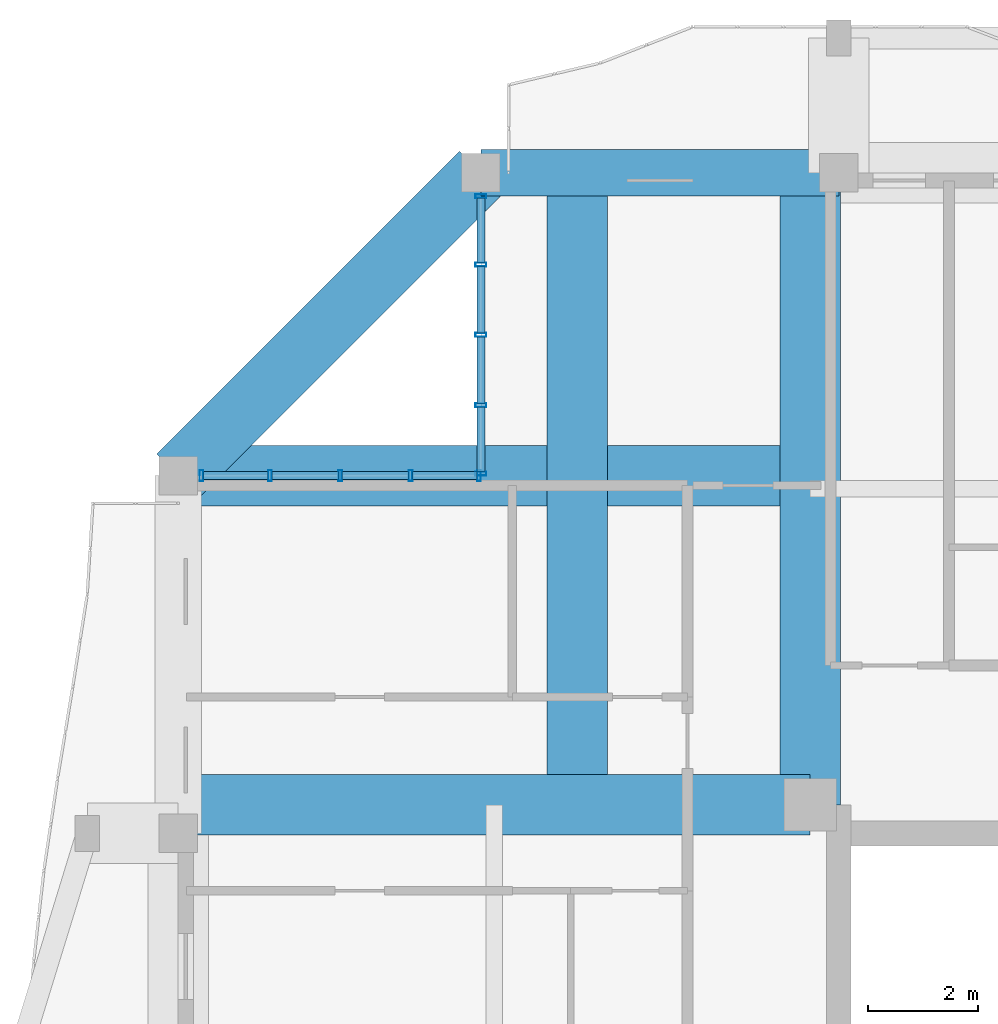
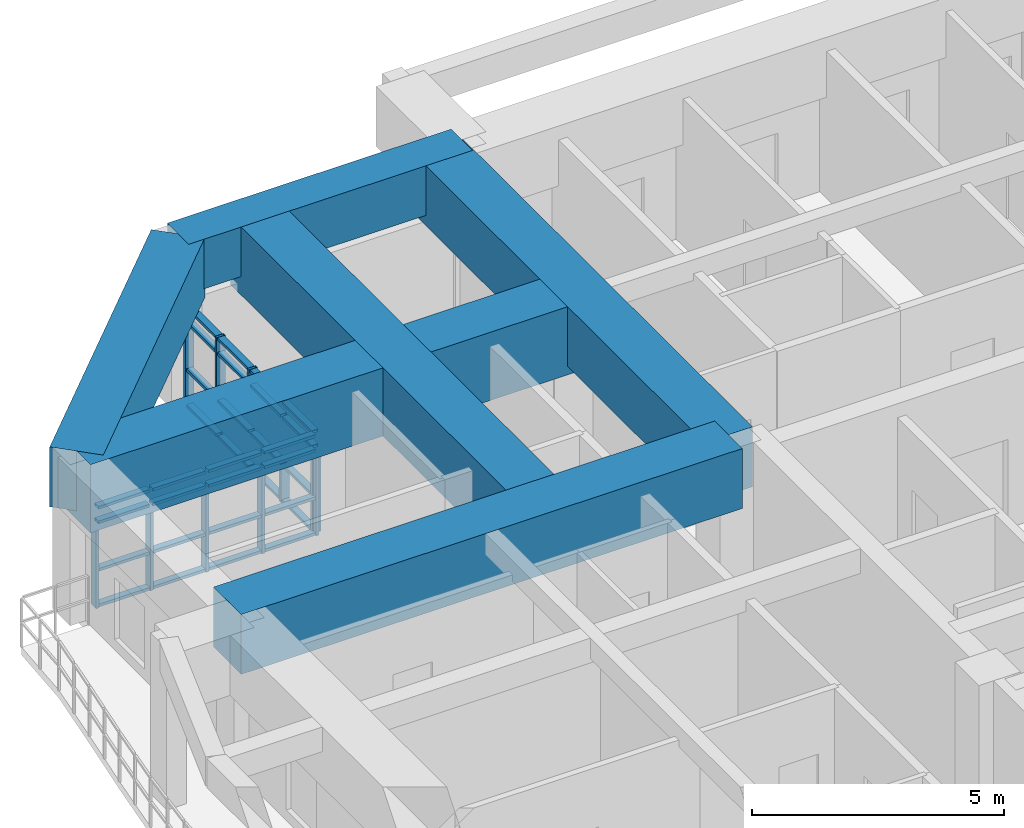
# One storey, part 6 of 22: 42 members, 6 beams, 2 elements without a shape of their own.
"""IFC4 building model written with IfcOpenShell, lengths in metres."""

import ifcopenshell
import ifcopenshell.guid

model = None  # the IFC model being written
_history = None  # IfcOwnerHistory: only IFC2X3 demands one
_inside = {}  # id of a spatial element -> (the spatial element, [elements in it])
_under = {}  # id of a project, library or spatial element -> (it, [spatial elements below it])
_declared = {}  # id of a project -> (the project, [libraries it declares])
_typed = {}  # id of a type object -> (the type object, [elements of that type])
_made_of = {}  # id of a material, layer set ... -> (it, [elements and type objects made of it])


def new_model(schema):
    """Start an empty IFC model of exactly this schema.

    Asked for "IFC4X3", IfcOpenShell would pick the latest addendum, in which some entities
    have other attributes; the version numbers below select the first issue.
    IFC2X3 requires an IfcOwnerHistory on every rooted entity: one is made here for all.
    """
    global model, _history
    if schema == "IFC4X3":
        model = ifcopenshell.file(schema_version=(4, 3, 0, 0))
    else:
        model = ifcopenshell.file(schema=schema)
    _inside.clear()
    _under.clear()
    _declared.clear()
    _typed.clear()
    _made_of.clear()
    _history = None
    if model.schema == "IFC2X3":
        org = make("IfcOrganization", Name="unknown")
        user = make(
            "IfcPersonAndOrganization",
            ThePerson=make("IfcPerson", FamilyName="unknown"),
            TheOrganization=org,
        )
        app = make(
            "IfcApplication",
            ApplicationDeveloper=org,
            Version="unknown",
            ApplicationFullName="unknown",
            ApplicationIdentifier="unknown",
        )
        _history = make(
            "IfcOwnerHistory",
            OwningUser=user,
            OwningApplication=app,
            ChangeAction="ADDED",
            CreationDate=0,
        )
    return model


def make(cls, **values):
    """One entity of the class cls with the attributes given. An attribute that is None is left unset."""
    return model.create_entity(
        cls, **{name: value for name, value in values.items() if value is not None}
    )


def rooted(cls, **values):
    """An entity with a GlobalId (a new one), such as an element, a storey or a relation."""
    return make(cls, GlobalId=ifcopenshell.guid.new(), OwnerHistory=_history, **values)


def si_unit(unit_type, name, prefix=None):
    """IfcSIUnit, for example si_unit("LENGTHUNIT", "METRE", prefix="MILLI")."""
    return make("IfcSIUnit", UnitType=unit_type, Prefix=prefix, Name=name)


def assignment(units):
    """IfcUnitAssignment: the units of a project."""
    return None if units is None else make("IfcUnitAssignment", Units=units)


def point(xyz):
    """IfcCartesianPoint."""
    return None if xyz is None else make("IfcCartesianPoint", Coordinates=xyz)


def direction(xyz):
    """IfcDirection."""
    return None if xyz is None else make("IfcDirection", DirectionRatios=xyz)


def frame(location, z_axis=None, x_axis=None):
    """IfcAxis2Placement3D, a coordinate frame: its origin and axes. An axis left out is left unset."""
    return make(
        "IfcAxis2Placement3D",
        Location=point(location),
        Axis=direction(z_axis),
        RefDirection=direction(x_axis),
    )


def frame_2d(location, x_axis=None):
    """IfcAxis2Placement2D, a coordinate frame in the plane: its origin and x axis."""
    return make(
        "IfcAxis2Placement2D", Location=point(location), RefDirection=direction(x_axis)
    )


def origin():
    """The frame at (0, 0, 0) with its axes left unset."""
    return frame((0.0, 0.0, 0.0))


def origin_2d():
    """The frame at (0, 0) in the plane with its x axis left unset."""
    return frame_2d((0.0, 0.0))


def place(relative_to, where):
    """IfcLocalPlacement: puts the frame where relative to a parent placement (None: the world)."""
    return make(
        "IfcLocalPlacement", PlacementRelTo=relative_to, RelativePlacement=where
    )


def context(
    kind, dimensions, precision=None, world=None, true_north=None, identifier=None
):
    """IfcGeometricRepresentationContext, for example the 3D "Model" context."""
    return make(
        "IfcGeometricRepresentationContext",
        ContextIdentifier=identifier,
        ContextType=kind,
        CoordinateSpaceDimension=dimensions,
        Precision=precision,
        WorldCoordinateSystem=world,
        TrueNorth=true_north,
    )


def subcontext(parent, identifier, kind, view, scale=None):
    """IfcGeometricRepresentationSubContext, for example "Body" below "Model"."""
    return make(
        "IfcGeometricRepresentationSubContext",
        ContextIdentifier=identifier,
        ContextType=kind,
        ParentContext=parent,
        TargetScale=scale,
        TargetView=view,
    )


def project(units=None, contexts=None):
    """IfcProject with its units and contexts."""
    return rooted(
        "IfcProject",
        Name="project",
        RepresentationContexts=contexts,
        UnitsInContext=assignment(units),
    )


def spatial(cls, under=None, at=None, **own):
    """A site, building, storey or space (cls), placed at a placement, below another one or the project."""
    s = rooted(cls, ObjectPlacement=at, **own)
    if under is not None:
        _under.setdefault(under.id(), (under, []))[1].append(s)
    return s


def profile(cls, at=None, kind="AREA", **sizes):
    """A parametric profile (cls). Its sizes go by their IFC names, for example OverallWidth=200.0."""
    return make(cls, ProfileType=kind, Position=at, **sizes)


def rectangle(**sizes):
    """IfcRectangleProfileDef."""
    return profile("IfcRectangleProfileDef", **sizes)


def hollow_rectangle(**sizes):
    """IfcRectangleHollowProfileDef."""
    return profile("IfcRectangleHollowProfileDef", **sizes)


def extrude(swept, where, along, depth):
    """IfcExtrudedAreaSolid: the profile swept, set in the frame where, extruded along a direction by depth."""
    return make(
        "IfcExtrudedAreaSolid",
        SweptArea=swept,
        Position=where,
        ExtrudedDirection=direction(along),
        Depth=depth,
    )


def shape(context_of_items, identifier, shape_type, items):
    """IfcShapeRepresentation: the items that make up one representation, for example the "Body"."""
    return make(
        "IfcShapeRepresentation",
        ContextOfItems=context_of_items,
        RepresentationIdentifier=identifier,
        RepresentationType=shape_type,
        Items=items,
    )


def source(mapping_origin, context_of_items, identifier, shape_type, items):
    """IfcRepresentationMap: a shape defined once, which mapped items show again and again."""
    return make(
        "IfcRepresentationMap",
        MappingOrigin=mapping_origin,
        MappedRepresentation=shape(context_of_items, identifier, shape_type, items),
    )


def transform(
    local_origin,
    x_axis=None,
    y_axis=None,
    z_axis=None,
    scale=None,
    scale2=None,
    scale3=None,
    uniform=True,
):
    """IfcCartesianTransformationOperator3D, or its non-uniform kind. x_axis, y_axis, z_axis: its Axis1, 2, 3."""
    if uniform:
        return make(
            "IfcCartesianTransformationOperator3D",
            Axis1=direction(x_axis),
            Axis2=direction(y_axis),
            LocalOrigin=point(local_origin),
            Scale=scale,
            Axis3=direction(z_axis),
        )
    return make(
        "IfcCartesianTransformationOperator3DnonUniform",
        Axis1=direction(x_axis),
        Axis2=direction(y_axis),
        LocalOrigin=point(local_origin),
        Scale=scale,
        Axis3=direction(z_axis),
        Scale2=scale2,
        Scale3=scale3,
    )


def mapped(mapping_source, mapping_target):
    """IfcMappedItem: shows the shape of a source again, moved by a transform."""
    return make(
        "IfcMappedItem", MappingSource=mapping_source, MappingTarget=mapping_target
    )


def material(Name=None, Category=None):
    """IfcMaterial."""
    return make("IfcMaterial", Name=Name, Category=Category)


def layer(
    of_material, thickness, ventilated=None, Name=None, Category=None, Priority=None
):
    """IfcMaterialLayer: one layer of a wall or slab, of a material (None: an air gap)."""
    return make(
        "IfcMaterialLayer",
        Material=of_material,
        LayerThickness=thickness,
        IsVentilated=ventilated,
        Name=Name,
        Category=Category,
        Priority=Priority,
    )


def layer_set(layers, Name=None):
    """IfcMaterialLayerSet."""
    return make("IfcMaterialLayerSet", MaterialLayers=layers, LayerSetName=Name)


def material_profile(
    of_material, cross_section, Name=None, Category=None, Priority=None
):
    """IfcMaterialProfile: a cross section and its material."""
    return make(
        "IfcMaterialProfile",
        Name=Name,
        Material=of_material,
        Profile=cross_section,
        Priority=Priority,
        Category=Category,
    )


def profile_set(profiles, Name=None, composite=None):
    """IfcMaterialProfileSet."""
    return make(
        "IfcMaterialProfileSet",
        Name=Name,
        MaterialProfiles=profiles,
        CompositeProfile=composite,
    )


def made_of(thing, what):
    """Note that an element or type object is made of a material, layer set ...; save() writes the relation."""
    if what is not None:
        _made_of.setdefault(what.id(), (what, []))[1].append(thing)
    return thing


def type_object(cls, material=None, **own):
    """A type object (cls), such as IfcWallType, which elements share."""
    return made_of(rooted(cls, **own), material)


def element(
    cls,
    number,
    at=None,
    inside=None,
    cuts=None,
    type_object=None,
    material=None,
    context=None,
    identifier="Body",
    shape_type=None,
    held_by="IfcProductDefinitionShape",
    body=None,
    shapes=None,
    **own,
):
    """One element of the class cls, such as IfcWall. Its Tag is "e" and its number.

    at: its placement. inside: the storey or other place that contains it. cuts: it is an
    opening in that element (IfcRelVoidsElement). A single representation is given by context,
    identifier, shape_type and body (its items); several are given by shapes. held_by: the class
    of the entity that holds the representations. save() writes the other relations.
    """
    e = rooted(cls, Tag="e%d" % number, ObjectPlacement=at, **own)
    if body is not None:
        shapes = [shape(context, identifier, shape_type, body)]
    if shapes is not None:
        e.Representation = make(held_by, Representations=shapes)
    if inside is not None:
        _inside.setdefault(inside.id(), (inside, []))[1].append(e)
    if cuts is not None:
        rooted(
            "IfcRelVoidsElement", RelatingBuildingElement=cuts, RelatedOpeningElement=e
        )
    if type_object is not None:
        _typed.setdefault(type_object.id(), (type_object, []))[1].append(e)
    return made_of(e, material)


def aggregate(whole, parts):
    """IfcRelAggregates: a whole, such as a stair, and the parts it consists of."""
    return rooted("IfcRelAggregates", RelatingObject=whole, RelatedObjects=parts)


def save(model, path):
    """Write the relations noted so far, then the file.

    IfcRelAggregates (storeys below a building ...), IfcRelContainedInSpatialStructure (elements
    in a storey), IfcRelDefinesByType, IfcRelAssociatesMaterial and IfcRelDeclares: one each for
    every whole, place, type object, material and project.
    """
    for whole, parts in _under.values():
        aggregate(whole, parts)
    for where, things in _inside.values():
        rooted(
            "IfcRelContainedInSpatialStructure",
            RelatedElements=things,
            RelatingStructure=where,
        )
    for kind, things in _typed.values():
        rooted("IfcRelDefinesByType", RelatedObjects=things, RelatingType=kind)
    for what, things in _made_of.values():
        rooted("IfcRelAssociatesMaterial", RelatedObjects=things, RelatingMaterial=what)
    for by, libraries in _declared.values():
        rooted("IfcRelDeclares", RelatingContext=by, RelatedDefinitions=libraries)
    model.write(path)


model = new_model("IFC4")

# Units and contexts
model_context = context("Model", 3, precision=1e-05, world=origin(), true_north=direction((0.0, 1.0)))
body_context = subcontext(model_context, "Body", "Model", "MODEL_VIEW")
ifc_project = project(units=[si_unit("LENGTHUNIT", "METRE"), si_unit("AREAUNIT", "SQUARE_METRE"), si_unit("VOLUMEUNIT", "CUBIC_METRE"), si_unit("PLANEANGLEUNIT", "RADIAN"), si_unit("MASSUNIT", "GRAM", prefix="KILO")], contexts=[model_context])

# Site, building, storey
site_placement = place(None, origin())
site = spatial("IfcSite", under=ifc_project, at=site_placement, CompositionType="ELEMENT")
building_placement = place(site_placement, origin())
building = spatial("IfcBuilding", under=site, at=building_placement, Name="Saelheon Loggia Tower", CompositionType="ELEMENT")
storey_placement = place(building_placement, frame((0.0, 0.0, 216.300048828125)))
storey = spatial("IfcBuildingStorey", under=building, at=storey_placement, Name="L67", CompositionType="ELEMENT", Elevation=216.300048828125)

# Beams
ifc_material_1 = material(Name="Concrete C50/60", Category="concrete")
ifc_material_profile_1 = material_profile(ifc_material_1, rectangle(XDim=1.10009765625, YDim=1.449951171875, at=origin_2d()), Name="RC-1100x1450")
ifc_profile_set_1 = profile_set([ifc_material_profile_1], Name="Concrete C50/60")
beam_type_1 = type_object("IfcBeamType", Name="Beam_Transfer_RC1100x1450", PredefinedType="BEAM", material=ifc_profile_set_1)
shared_shape_1 = source(origin(), body_context, "Body", "SweptSolid", [
    extrude(rectangle(XDim=1.10009765625, YDim=1.449951171875, at=origin_2d()), origin(), (0.0, 0.0, 1.0), 11.47998046875),
])
for number, where, z_axis, x_axis, name in (
    (1, (30.97998046875, 36.52001953125, 3.175048828125), (0.0, 1.0, 0.0), (-1.0, 0.0, 0.0), "L67 Radial Floor Girder RAD-NW-N"),
    (2, (30.97998046875, 36.52001953125, 3.175048828125), (-1.0, 0.0, 0.0), (0.0, -1.0, 0.0), "L67 Radial Floor Girder RAD-NW-W"),
):
    element("IfcBeam", number, at=place(storey_placement, frame(where, z_axis=z_axis, x_axis=x_axis)), inside=storey, type_object=beam_type_1, Name=name, PredefinedType="BEAM", context=body_context, shape_type="MappedRepresentation", body=[
        mapped(shared_shape_1, transform((0.0, 0.0, 0.0), scale=1.0)),
    ])
ifc_material_profile_2 = material_profile(ifc_material_1, rectangle(XDim=1.10009765625, YDim=1.64990234375, at=origin_2d()), Name="RC-1100x1650")
ifc_profile_set_2 = profile_set([ifc_material_profile_2], Name="Concrete C50/60")
beam_type_2 = type_object("IfcBeamType", Name="Beam_MegaTransfer_RC1100x1650", PredefinedType="BEAM", material=ifc_profile_set_2)
shared_shape_2 = source(origin(), body_context, "Body", "SweptSolid", [
    extrude(rectangle(XDim=1.10009765625, YDim=1.64990234375, at=origin_2d()), origin(), (0.0, 0.0, 1.0), 11.47998046875),
])
beam_1_placement = place(storey_placement, frame((26.75, 36.52001953125, 3.074951171875), z_axis=(0.0, 1.0, 0.0), x_axis=(-1.0, 0.0, 0.0)))
element("IfcBeam", 3, at=beam_1_placement, inside=storey, type_object=beam_type_2, Name="TG-L67-NL-NW", PredefinedType="BEAM", context=body_context, shape_type="MappedRepresentation", body=[
    mapped(shared_shape_2, transform((0.0, 0.0, 0.0), scale=1.0)),
])
ifc_material_profile_3 = material_profile(ifc_material_1, rectangle(XDim=0.85009765625, YDim=1.199951171875, at=origin_2d()), Name="RC-850x1200")
ifc_profile_set_3 = profile_set([ifc_material_profile_3], Name="Concrete C50/60")
beam_type_3 = type_object("IfcBeamType", Name="Beam_CornerShoulder_RC850x1200", PredefinedType="BEAM", material=ifc_profile_set_3)
shared_shape_3 = source(origin(), body_context, "Body", "SweptSolid", [
    extrude(rectangle(XDim=0.85009765625, YDim=1.199951171875, at=origin_2d()), origin(), (0.0, 0.0, 1.0), 6.5),
])
beam_2_placement = place(storey_placement, frame((31.5, 48.0, 3.300048828125), z_axis=(-1.0, 0.0, 0.0), x_axis=(0.0, -1.0, 0.0)))
element("IfcBeam", 4, at=beam_2_placement, inside=storey, type_object=beam_type_3, Name="L67 Corner Shoulder Beam 11", PredefinedType="BEAM", context=body_context, shape_type="MappedRepresentation", body=[
    mapped(shared_shape_3, transform((0.0, 0.0, 0.0), scale=1.0)),
])
ifc_material_profile_4 = material_profile(ifc_material_1, rectangle(XDim=1.10009765625, YDim=1.449951171875, at=origin_2d()), Name="RC-1100x1450")
ifc_profile_set_4 = profile_set([ifc_material_profile_4], Name="Concrete C50/60")
beam_type_4 = type_object("IfcBeamType", Name="Beam_PerimTransfer_RC1100x1450", PredefinedType="BEAM", material=ifc_profile_set_4)
shared_shape_4 = source(origin(), body_context, "Body", "SweptSolid", [
    extrude(rectangle(XDim=1.10009765625, YDim=1.449951171875, at=origin_2d()), origin(), (0.0, 0.0, 1.0), 7.778076171875),
])
beam_3_placement = place(storey_placement, frame((25.0, 48.0, 3.175048828125), z_axis=(-0.707106781187, -0.707106781187, 0.0), x_axis=(0.707106781187, -0.707106781187, 0.0)))
element("IfcBeam", 5, at=beam_3_placement, inside=storey, type_object=beam_type_4, Name="L67 Perimeter Frame Girder 12", PredefinedType="BEAM", context=body_context, shape_type="MappedRepresentation", body=[
    mapped(shared_shape_4, transform((0.0, 0.0, 0.0), scale=1.0)),
])
shared_shape_5 = source(origin(), body_context, "Body", "SweptSolid", [
    extrude(rectangle(XDim=1.10009765625, YDim=1.64990234375, at=origin_2d()), origin(), (0.0, 0.0, 1.0), 12.0),
])
beam_4_placement = place(storey_placement, frame((19.5, 42.5, 3.074951171875), z_axis=(1.0, 0.0, 0.0), x_axis=(0.0, 1.0, 0.0)))
element("IfcBeam", 6, at=beam_4_placement, inside=storey, type_object=beam_type_2, Name="TG-L67-SH-NW", PredefinedType="BEAM", context=body_context, shape_type="MappedRepresentation", body=[
    mapped(shared_shape_5, transform((0.0, 0.0, 0.0), scale=1.0)),
])

# Curtain wall, members
ifc_material_2 = material(Name="High-Wind Aluminium and Triple Laminated Glass", Category="aluminium")
ifc_layer = layer(ifc_material_2, 0.179931640625)
ifc_layer_set = layer_set([ifc_layer], Name="High-Wind Aluminium and Triple Laminated Glass")
curtain_wall_type = type_object("IfcCurtainWallType", Name="CW_TowerLoggiaHigh", PredefinedType="NOTDEFINED", material=ifc_layer_set)
curtain_wall_1_placement = place(storey_placement, origin())
curtain_wall_1 = element("IfcCurtainWall", 7, at=curtain_wall_1_placement, inside=storey, type_object=curtain_wall_type, Name="L67 Corner Notch Glazing NW1", PredefinedType="NOTDEFINED")
ifc_material_3 = material(Name="Anodised Aluminium 6063-T6", Category="aluminium")
ifc_material_profile_5 = material_profile(ifc_material_3, hollow_rectangle(XDim=0.070068359375, YDim=0.199951171875, WallThickness=0.0048828125, at=origin_2d()), Name="RHS-200x70x5")
ifc_profile_set_5 = profile_set([ifc_material_profile_5], Name="Anodised Aluminium 6063-T6")
member_type_1 = type_object("IfcMemberType", Name="CW_TowerLoggiaHigh_Mullion", PredefinedType="MULLION", material=ifc_profile_set_5)
shared_shape_6 = source(origin(), body_context, "Body", "SweptSolid", [
    extrude(hollow_rectangle(XDim=0.070068359375, YDim=0.199951171875, WallThickness=0.0048828125, at=origin_2d()), origin(), (0.0, 0.0, 1.0), 2.43994140625),
])
member_1_placement = place(storey_placement, frame((25.0, 42.534912109375, 0.0), z_axis=(0.0, 0.0, 1.0), x_axis=(0.0, 1.0, 0.0)))
member_1 = element("IfcMember", 8, at=member_1_placement, type_object=member_type_1, Name="CW4 mullion 1", PredefinedType="MULLION", context=body_context, shape_type="MappedRepresentation", body=[
    mapped(shared_shape_6, transform((0.0, 0.0, 0.0), scale=1.0)),
])
member_2_placement = place(storey_placement, frame((25.0, 43.777587890625, 0.0), z_axis=(0.0, 0.0, 1.0), x_axis=(0.0, 1.0, 0.0)))
member_2 = element("IfcMember", 9, at=member_2_placement, type_object=member_type_1, Name="CW4 mullion 2", PredefinedType="MULLION", context=body_context, shape_type="MappedRepresentation", body=[
    mapped(shared_shape_6, transform((0.0, 0.0, 0.0), scale=1.0)),
])
member_3_placement = place(storey_placement, frame((25.0, 45.054931640625, 0.0), z_axis=(0.0, 0.0, 1.0), x_axis=(0.0, 1.0, 0.0)))
member_3 = element("IfcMember", 10, at=member_3_placement, type_object=member_type_1, Name="CW4 mullion 3", PredefinedType="MULLION", context=body_context, shape_type="MappedRepresentation", body=[
    mapped(shared_shape_6, transform((0.0, 0.0, 0.0), scale=1.0)),
])
member_4_placement = place(storey_placement, frame((25.0, 46.33251953125, 0.0), z_axis=(0.0, 0.0, 1.0), x_axis=(0.0, 1.0, 0.0)))
member_4 = element("IfcMember", 11, at=member_4_placement, type_object=member_type_1, Name="CW4 mullion 4", PredefinedType="MULLION", context=body_context, shape_type="MappedRepresentation", body=[
    mapped(shared_shape_6, transform((0.0, 0.0, 0.0), scale=1.0)),
])
member_5_placement = place(storey_placement, frame((25.0, 47.574951171875, 0.0), z_axis=(0.0, 0.0, 1.0), x_axis=(0.0, 1.0, 0.0)))
member_5 = element("IfcMember", 12, at=member_5_placement, type_object=member_type_1, Name="CW4 mullion 5", PredefinedType="MULLION", context=body_context, shape_type="MappedRepresentation", body=[
    mapped(shared_shape_6, transform((0.0, 0.0, 0.0), scale=1.0)),
])

curtain_wall_2_placement = place(storey_placement, origin())
curtain_wall_2 = element("IfcCurtainWall", 13, at=curtain_wall_2_placement, inside=storey, type_object=curtain_wall_type, Name="L67 Corner Notch Glazing NW2", PredefinedType="NOTDEFINED")
member_6_placement = place(storey_placement, frame((19.925048828125, 42.5, 0.0), z_axis=(0.0, 0.0, 1.0), x_axis=(1.0, 0.0, 0.0)))
member_6 = element("IfcMember", 14, at=member_6_placement, type_object=member_type_1, Name="CW4 mullion 1", PredefinedType="MULLION", context=body_context, shape_type="MappedRepresentation", body=[
    mapped(shared_shape_6, transform((0.0, 0.0, 0.0), scale=1.0)),
])
member_7_placement = place(storey_placement, frame((21.16748046875, 42.5, 0.0), z_axis=(0.0, 0.0, 1.0), x_axis=(1.0, 0.0, 0.0)))
member_7 = element("IfcMember", 15, at=member_7_placement, type_object=member_type_1, Name="CW4 mullion 2", PredefinedType="MULLION", context=body_context, shape_type="MappedRepresentation", body=[
    mapped(shared_shape_6, transform((0.0, 0.0, 0.0), scale=1.0)),
])
member_8_placement = place(storey_placement, frame((22.445068359375, 42.5, 0.0), z_axis=(0.0, 0.0, 1.0), x_axis=(1.0, 0.0, 0.0)))
member_8 = element("IfcMember", 16, at=member_8_placement, type_object=member_type_1, Name="CW4 mullion 3", PredefinedType="MULLION", context=body_context, shape_type="MappedRepresentation", body=[
    mapped(shared_shape_6, transform((0.0, 0.0, 0.0), scale=1.0)),
])
member_9_placement = place(storey_placement, frame((23.722412109375, 42.5, 0.0), z_axis=(0.0, 0.0, 1.0), x_axis=(1.0, 0.0, 0.0)))
member_9 = element("IfcMember", 17, at=member_9_placement, type_object=member_type_1, Name="CW4 mullion 4", PredefinedType="MULLION", context=body_context, shape_type="MappedRepresentation", body=[
    mapped(shared_shape_6, transform((0.0, 0.0, 0.0), scale=1.0)),
])
member_10_placement = place(storey_placement, frame((24.965087890625, 42.5, 0.0), z_axis=(0.0, 0.0, 1.0), x_axis=(1.0, 0.0, 0.0)))
member_10 = element("IfcMember", 18, at=member_10_placement, type_object=member_type_1, Name="CW4 mullion 5", PredefinedType="MULLION", context=body_context, shape_type="MappedRepresentation", body=[
    mapped(shared_shape_6, transform((0.0, 0.0, 0.0), scale=1.0)),
])

# Member
ifc_material_profile_6 = material_profile(ifc_material_3, hollow_rectangle(XDim=0.070068359375, YDim=0.14990234375, WallThickness=0.0048828125, at=origin_2d()), Name="RHS-150x70x5")
ifc_profile_set_6 = profile_set([ifc_material_profile_6], Name="Anodised Aluminium 6063-T6")
member_type_2 = type_object("IfcMemberType", Name="CW_TowerLoggiaHigh_Transom", PredefinedType="USERDEFINED", material=ifc_profile_set_6)
shared_shape_7 = source(origin(), body_context, "Body", "SweptSolid", [
    extrude(hollow_rectangle(XDim=0.070068359375, YDim=0.14990234375, WallThickness=0.0048828125, at=origin_2d()), origin(), (0.0, 0.0, 1.0), 1.172607421875),
])
member_11_placement = place(storey_placement, frame((25.0, 46.367431640625, 0.034912109375), z_axis=(0.0, 1.0, 0.0), x_axis=(0.0, 0.0, 1.0)))
member_11 = element("IfcMember", 19, at=member_11_placement, type_object=member_type_2, Name="CW4 transom 4.1", ObjectType="TRANSOM", PredefinedType="USERDEFINED", context=body_context, shape_type="MappedRepresentation", body=[
    mapped(shared_shape_7, transform((0.0, 0.0, 0.0), scale=1.0)),
])

member_12_placement = place(storey_placement, frame((25.0, 46.367431640625, 0.89990234375), z_axis=(0.0, 1.0, 0.0), x_axis=(0.0, 0.0, 1.0)))
member_12 = element("IfcMember", 20, at=member_12_placement, type_object=member_type_2, Name="CW4 transom 4.2", ObjectType="TRANSOM", PredefinedType="USERDEFINED", context=body_context, shape_type="MappedRepresentation", body=[
    mapped(shared_shape_7, transform((0.0, 0.0, 0.0), scale=1.0)),
])

member_13_placement = place(storey_placement, frame((25.0, 46.367431640625, 2.050048828125), z_axis=(0.0, 1.0, 0.0), x_axis=(0.0, 0.0, 1.0)))
member_13 = element("IfcMember", 21, at=member_13_placement, type_object=member_type_2, Name="CW4 transom 4.3", ObjectType="TRANSOM", PredefinedType="USERDEFINED", context=body_context, shape_type="MappedRepresentation", body=[
    mapped(shared_shape_7, transform((0.0, 0.0, 0.0), scale=1.0)),
])

member_14_placement = place(storey_placement, frame((25.0, 46.367431640625, 2.405029296875), z_axis=(0.0, 1.0, 0.0), x_axis=(0.0, 0.0, 1.0)))
member_14 = element("IfcMember", 22, at=member_14_placement, type_object=member_type_2, Name="CW4 transom 4.4", ObjectType="TRANSOM", PredefinedType="USERDEFINED", context=body_context, shape_type="MappedRepresentation", body=[
    mapped(shared_shape_7, transform((0.0, 0.0, 0.0), scale=1.0)),
])

member_15_placement = place(storey_placement, frame((19.9599609375, 42.5, 0.034912109375), z_axis=(1.0, 0.0, 0.0), x_axis=(0.0, 0.0, 1.0)))
member_15 = element("IfcMember", 23, at=member_15_placement, type_object=member_type_2, Name="CW4 transom 1.1", ObjectType="TRANSOM", PredefinedType="USERDEFINED", context=body_context, shape_type="MappedRepresentation", body=[
    mapped(shared_shape_7, transform((0.0, 0.0, 0.0), scale=1.0)),
])

member_16_placement = place(storey_placement, frame((19.9599609375, 42.5, 0.89990234375), z_axis=(1.0, 0.0, 0.0), x_axis=(0.0, 0.0, 1.0)))
member_16 = element("IfcMember", 24, at=member_16_placement, type_object=member_type_2, Name="CW4 transom 1.2", ObjectType="TRANSOM", PredefinedType="USERDEFINED", context=body_context, shape_type="MappedRepresentation", body=[
    mapped(shared_shape_7, transform((0.0, 0.0, 0.0), scale=1.0)),
])

member_17_placement = place(storey_placement, frame((19.9599609375, 42.5, 2.050048828125), z_axis=(1.0, 0.0, 0.0), x_axis=(0.0, 0.0, 1.0)))
member_17 = element("IfcMember", 25, at=member_17_placement, type_object=member_type_2, Name="CW4 transom 1.3", ObjectType="TRANSOM", PredefinedType="USERDEFINED", context=body_context, shape_type="MappedRepresentation", body=[
    mapped(shared_shape_7, transform((0.0, 0.0, 0.0), scale=1.0)),
])

member_18_placement = place(storey_placement, frame((19.9599609375, 42.5, 2.405029296875), z_axis=(1.0, 0.0, 0.0), x_axis=(0.0, 0.0, 1.0)))
member_18 = element("IfcMember", 26, at=member_18_placement, type_object=member_type_2, Name="CW4 transom 1.4", ObjectType="TRANSOM", PredefinedType="USERDEFINED", context=body_context, shape_type="MappedRepresentation", body=[
    mapped(shared_shape_7, transform((0.0, 0.0, 0.0), scale=1.0)),
])

shared_shape_8 = source(origin(), body_context, "Body", "SweptSolid", [
    extrude(hollow_rectangle(XDim=0.070068359375, YDim=0.14990234375, WallThickness=0.0048828125, at=origin_2d()), origin(), (0.0, 0.0, 1.0), 1.20751953125),
])
member_19_placement = place(storey_placement, frame((25.0, 43.8125, 0.034912109375), z_axis=(0.0, 1.0, 0.0), x_axis=(0.0, 0.0, 1.0)))
member_19 = element("IfcMember", 27, at=member_19_placement, type_object=member_type_2, Name="CW4 transom 2.1", ObjectType="TRANSOM", PredefinedType="USERDEFINED", context=body_context, shape_type="MappedRepresentation", body=[
    mapped(shared_shape_8, transform((0.0, 0.0, 0.0), scale=1.0)),
])

member_20_placement = place(storey_placement, frame((25.0, 43.8125, 0.89990234375), z_axis=(0.0, 1.0, 0.0), x_axis=(0.0, 0.0, 1.0)))
member_20 = element("IfcMember", 28, at=member_20_placement, type_object=member_type_2, Name="CW4 transom 2.2", ObjectType="TRANSOM", PredefinedType="USERDEFINED", context=body_context, shape_type="MappedRepresentation", body=[
    mapped(shared_shape_8, transform((0.0, 0.0, 0.0), scale=1.0)),
])

member_21_placement = place(storey_placement, frame((25.0, 43.8125, 2.050048828125), z_axis=(0.0, 1.0, 0.0), x_axis=(0.0, 0.0, 1.0)))
member_21 = element("IfcMember", 29, at=member_21_placement, type_object=member_type_2, Name="CW4 transom 2.3", ObjectType="TRANSOM", PredefinedType="USERDEFINED", context=body_context, shape_type="MappedRepresentation", body=[
    mapped(shared_shape_8, transform((0.0, 0.0, 0.0), scale=1.0)),
])

member_22_placement = place(storey_placement, frame((25.0, 43.8125, 2.405029296875), z_axis=(0.0, 1.0, 0.0), x_axis=(0.0, 0.0, 1.0)))
member_22 = element("IfcMember", 30, at=member_22_placement, type_object=member_type_2, Name="CW4 transom 2.4", ObjectType="TRANSOM", PredefinedType="USERDEFINED", context=body_context, shape_type="MappedRepresentation", body=[
    mapped(shared_shape_8, transform((0.0, 0.0, 0.0), scale=1.0)),
])

member_23_placement = place(storey_placement, frame((25.0, 45.090087890625, 0.034912109375), z_axis=(0.0, 1.0, 0.0), x_axis=(0.0, 0.0, 1.0)))
member_23 = element("IfcMember", 31, at=member_23_placement, type_object=member_type_2, Name="CW4 transom 3.1", ObjectType="TRANSOM", PredefinedType="USERDEFINED", context=body_context, shape_type="MappedRepresentation", body=[
    mapped(shared_shape_8, transform((0.0, 0.0, 0.0), scale=1.0)),
])

member_24_placement = place(storey_placement, frame((25.0, 45.090087890625, 0.89990234375), z_axis=(0.0, 1.0, 0.0), x_axis=(0.0, 0.0, 1.0)))
member_24 = element("IfcMember", 32, at=member_24_placement, type_object=member_type_2, Name="CW4 transom 3.2", ObjectType="TRANSOM", PredefinedType="USERDEFINED", context=body_context, shape_type="MappedRepresentation", body=[
    mapped(shared_shape_8, transform((0.0, 0.0, 0.0), scale=1.0)),
])

member_25_placement = place(storey_placement, frame((25.0, 45.090087890625, 2.050048828125), z_axis=(0.0, 1.0, 0.0), x_axis=(0.0, 0.0, 1.0)))
member_25 = element("IfcMember", 33, at=member_25_placement, type_object=member_type_2, Name="CW4 transom 3.3", ObjectType="TRANSOM", PredefinedType="USERDEFINED", context=body_context, shape_type="MappedRepresentation", body=[
    mapped(shared_shape_8, transform((0.0, 0.0, 0.0), scale=1.0)),
])

member_26_placement = place(storey_placement, frame((25.0, 45.090087890625, 2.405029296875), z_axis=(0.0, 1.0, 0.0), x_axis=(0.0, 0.0, 1.0)))
member_26 = element("IfcMember", 34, at=member_26_placement, type_object=member_type_2, Name="CW4 transom 3.4", ObjectType="TRANSOM", PredefinedType="USERDEFINED", context=body_context, shape_type="MappedRepresentation", body=[
    mapped(shared_shape_8, transform((0.0, 0.0, 0.0), scale=1.0)),
])

member_27_placement = place(storey_placement, frame((21.202392578125, 42.5, 0.034912109375), z_axis=(1.0, 0.0, 0.0), x_axis=(0.0, 0.0, 1.0)))
member_27 = element("IfcMember", 35, at=member_27_placement, type_object=member_type_2, Name="CW4 transom 2.1", ObjectType="TRANSOM", PredefinedType="USERDEFINED", context=body_context, shape_type="MappedRepresentation", body=[
    mapped(shared_shape_8, transform((0.0, 0.0, 0.0), scale=1.0)),
])

member_28_placement = place(storey_placement, frame((21.202392578125, 42.5, 0.89990234375), z_axis=(1.0, 0.0, 0.0), x_axis=(0.0, 0.0, 1.0)))
member_28 = element("IfcMember", 36, at=member_28_placement, type_object=member_type_2, Name="CW4 transom 2.2", ObjectType="TRANSOM", PredefinedType="USERDEFINED", context=body_context, shape_type="MappedRepresentation", body=[
    mapped(shared_shape_8, transform((0.0, 0.0, 0.0), scale=1.0)),
])

member_29_placement = place(storey_placement, frame((21.202392578125, 42.5, 2.050048828125), z_axis=(1.0, 0.0, 0.0), x_axis=(0.0, 0.0, 1.0)))
member_29 = element("IfcMember", 37, at=member_29_placement, type_object=member_type_2, Name="CW4 transom 2.3", ObjectType="TRANSOM", PredefinedType="USERDEFINED", context=body_context, shape_type="MappedRepresentation", body=[
    mapped(shared_shape_8, transform((0.0, 0.0, 0.0), scale=1.0)),
])

member_30_placement = place(storey_placement, frame((21.202392578125, 42.5, 2.405029296875), z_axis=(1.0, 0.0, 0.0), x_axis=(0.0, 0.0, 1.0)))
member_30 = element("IfcMember", 38, at=member_30_placement, type_object=member_type_2, Name="CW4 transom 2.4", ObjectType="TRANSOM", PredefinedType="USERDEFINED", context=body_context, shape_type="MappedRepresentation", body=[
    mapped(shared_shape_8, transform((0.0, 0.0, 0.0), scale=1.0)),
])

member_31_placement = place(storey_placement, frame((22.47998046875, 42.5, 0.034912109375), z_axis=(1.0, 0.0, 0.0), x_axis=(0.0, 0.0, 1.0)))
member_31 = element("IfcMember", 39, at=member_31_placement, type_object=member_type_2, Name="CW4 transom 3.1", ObjectType="TRANSOM", PredefinedType="USERDEFINED", context=body_context, shape_type="MappedRepresentation", body=[
    mapped(shared_shape_8, transform((0.0, 0.0, 0.0), scale=1.0)),
])

member_32_placement = place(storey_placement, frame((22.47998046875, 42.5, 0.89990234375), z_axis=(1.0, 0.0, 0.0), x_axis=(0.0, 0.0, 1.0)))
member_32 = element("IfcMember", 40, at=member_32_placement, type_object=member_type_2, Name="CW4 transom 3.2", ObjectType="TRANSOM", PredefinedType="USERDEFINED", context=body_context, shape_type="MappedRepresentation", body=[
    mapped(shared_shape_8, transform((0.0, 0.0, 0.0), scale=1.0)),
])

member_33_placement = place(storey_placement, frame((22.47998046875, 42.5, 2.050048828125), z_axis=(1.0, 0.0, 0.0), x_axis=(0.0, 0.0, 1.0)))
member_33 = element("IfcMember", 41, at=member_33_placement, type_object=member_type_2, Name="CW4 transom 3.3", ObjectType="TRANSOM", PredefinedType="USERDEFINED", context=body_context, shape_type="MappedRepresentation", body=[
    mapped(shared_shape_8, transform((0.0, 0.0, 0.0), scale=1.0)),
])

member_34_placement = place(storey_placement, frame((22.47998046875, 42.5, 2.405029296875), z_axis=(1.0, 0.0, 0.0), x_axis=(0.0, 0.0, 1.0)))
member_34 = element("IfcMember", 42, at=member_34_placement, type_object=member_type_2, Name="CW4 transom 3.4", ObjectType="TRANSOM", PredefinedType="USERDEFINED", context=body_context, shape_type="MappedRepresentation", body=[
    mapped(shared_shape_8, transform((0.0, 0.0, 0.0), scale=1.0)),
])

shared_shape_9 = source(origin(), body_context, "Body", "SweptSolid", [
    extrude(hollow_rectangle(XDim=0.070068359375, YDim=0.14990234375, WallThickness=0.0048828125, at=origin_2d()), origin(), (0.0, 0.0, 1.0), 1.17236328125),
])
member_35_placement = place(storey_placement, frame((25.0, 42.570068359375, 0.034912109375), z_axis=(0.0, 1.0, 0.0), x_axis=(0.0, 0.0, 1.0)))
member_35 = element("IfcMember", 43, at=member_35_placement, type_object=member_type_2, Name="CW4 transom 1.1", ObjectType="TRANSOM", PredefinedType="USERDEFINED", context=body_context, shape_type="MappedRepresentation", body=[
    mapped(shared_shape_9, transform((0.0, 0.0, 0.0), scale=1.0)),
])

member_36_placement = place(storey_placement, frame((25.0, 42.570068359375, 0.89990234375), z_axis=(0.0, 1.0, 0.0), x_axis=(0.0, 0.0, 1.0)))
member_36 = element("IfcMember", 44, at=member_36_placement, type_object=member_type_2, Name="CW4 transom 1.2", ObjectType="TRANSOM", PredefinedType="USERDEFINED", context=body_context, shape_type="MappedRepresentation", body=[
    mapped(shared_shape_9, transform((0.0, 0.0, 0.0), scale=1.0)),
])

member_37_placement = place(storey_placement, frame((25.0, 42.570068359375, 2.050048828125), z_axis=(0.0, 1.0, 0.0), x_axis=(0.0, 0.0, 1.0)))
member_37 = element("IfcMember", 45, at=member_37_placement, type_object=member_type_2, Name="CW4 transom 1.3", ObjectType="TRANSOM", PredefinedType="USERDEFINED", context=body_context, shape_type="MappedRepresentation", body=[
    mapped(shared_shape_9, transform((0.0, 0.0, 0.0), scale=1.0)),
])

member_38_placement = place(storey_placement, frame((25.0, 42.570068359375, 2.405029296875), z_axis=(0.0, 1.0, 0.0), x_axis=(0.0, 0.0, 1.0)))
member_38 = element("IfcMember", 46, at=member_38_placement, type_object=member_type_2, Name="CW4 transom 1.4", ObjectType="TRANSOM", PredefinedType="USERDEFINED", context=body_context, shape_type="MappedRepresentation", body=[
    mapped(shared_shape_9, transform((0.0, 0.0, 0.0), scale=1.0)),
])

aggregate(curtain_wall_1, [member_1, member_2, member_3, member_4, member_5, member_35, member_36, member_37, member_38, member_19, member_20, member_21, member_22, member_23, member_24, member_25, member_26, member_11, member_12, member_13, member_14])

member_39_placement = place(storey_placement, frame((23.757568359375, 42.5, 0.034912109375), z_axis=(1.0, 0.0, 0.0), x_axis=(0.0, 0.0, 1.0)))
member_39 = element("IfcMember", 47, at=member_39_placement, type_object=member_type_2, Name="CW4 transom 4.1", ObjectType="TRANSOM", PredefinedType="USERDEFINED", context=body_context, shape_type="MappedRepresentation", body=[
    mapped(shared_shape_9, transform((0.0, 0.0, 0.0), scale=1.0)),
])

member_40_placement = place(storey_placement, frame((23.757568359375, 42.5, 0.89990234375), z_axis=(1.0, 0.0, 0.0), x_axis=(0.0, 0.0, 1.0)))
member_40 = element("IfcMember", 48, at=member_40_placement, type_object=member_type_2, Name="CW4 transom 4.2", ObjectType="TRANSOM", PredefinedType="USERDEFINED", context=body_context, shape_type="MappedRepresentation", body=[
    mapped(shared_shape_9, transform((0.0, 0.0, 0.0), scale=1.0)),
])

member_41_placement = place(storey_placement, frame((23.757568359375, 42.5, 2.050048828125), z_axis=(1.0, 0.0, 0.0), x_axis=(0.0, 0.0, 1.0)))
member_41 = element("IfcMember", 49, at=member_41_placement, type_object=member_type_2, Name="CW4 transom 4.3", ObjectType="TRANSOM", PredefinedType="USERDEFINED", context=body_context, shape_type="MappedRepresentation", body=[
    mapped(shared_shape_9, transform((0.0, 0.0, 0.0), scale=1.0)),
])

member_42_placement = place(storey_placement, frame((23.757568359375, 42.5, 2.405029296875), z_axis=(1.0, 0.0, 0.0), x_axis=(0.0, 0.0, 1.0)))
member_42 = element("IfcMember", 50, at=member_42_placement, type_object=member_type_2, Name="CW4 transom 4.4", ObjectType="TRANSOM", PredefinedType="USERDEFINED", context=body_context, shape_type="MappedRepresentation", body=[
    mapped(shared_shape_9, transform((0.0, 0.0, 0.0), scale=1.0)),
])

aggregate(curtain_wall_2, [member_6, member_7, member_8, member_9, member_10, member_15, member_16, member_17, member_18, member_27, member_28, member_29, member_30, member_31, member_32, member_33, member_34, member_39, member_40, member_41, member_42])

save(model, "model.ifc")
